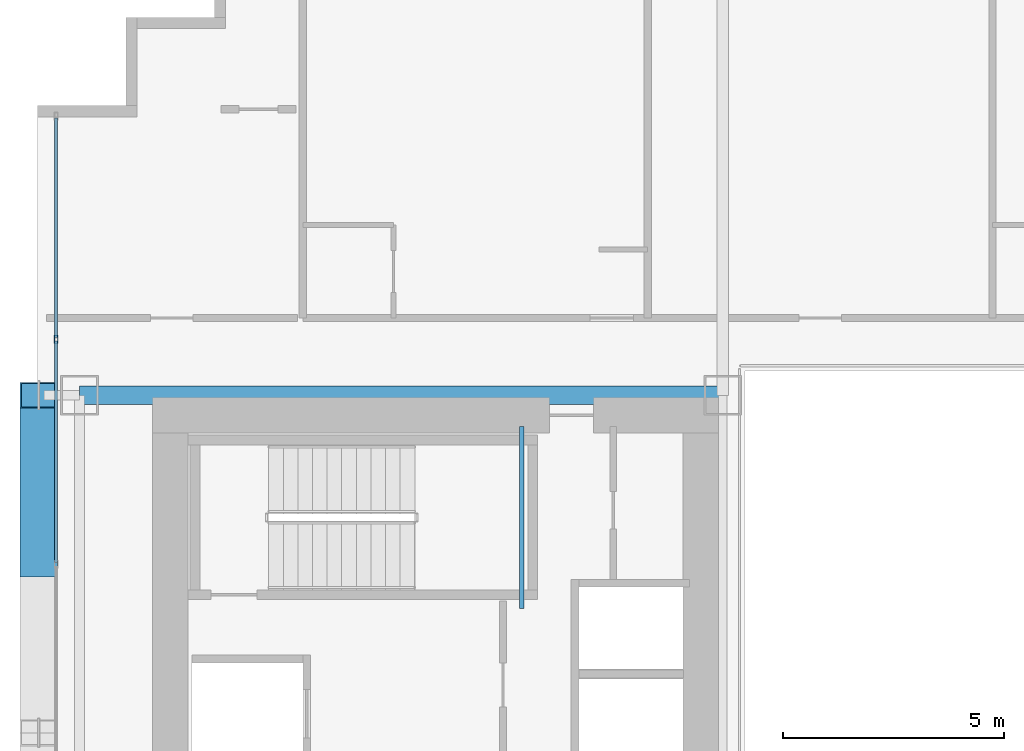
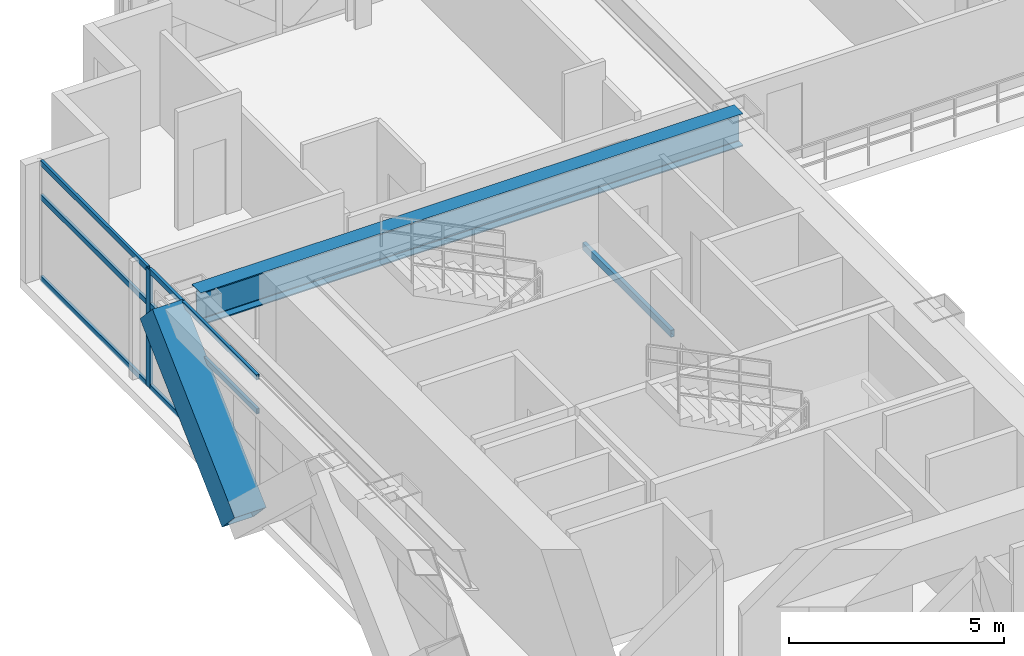
# One storey, part 16 of 38: 8 members, 2 beams, 1 element without a shape of its own.
"""IFC4 building model written with IfcOpenShell, lengths in metres."""

from ifc_helpers import new_model, si_unit, direction, frame, origin, origin_2d, place, context, subcontext, project, spatial, hollow_rectangle, i_section, extrude, source, transform, mapped, material, layer, layer_set, material_profile, profile_set, type_object, element, aggregate, save


model = new_model("IFC4")

# Units and contexts
model_context = context("Model", 3, precision=1e-05, world=origin(), true_north=direction((0.0, 1.0)))
body_context = subcontext(model_context, "Body", "Model", "MODEL_VIEW")
ifc_project = project(units=[si_unit("LENGTHUNIT", "METRE"), si_unit("AREAUNIT", "SQUARE_METRE"), si_unit("VOLUMEUNIT", "CUBIC_METRE"), si_unit("PLANEANGLEUNIT", "RADIAN"), si_unit("MASSUNIT", "GRAM", prefix="KILO")], contexts=[model_context])

# Site, building, storey
site_placement = place(None, origin())
site = spatial("IfcSite", under=ifc_project, at=site_placement, CompositionType="ELEMENT")
building_placement = place(site_placement, origin())
building = spatial("IfcBuilding", under=site, at=building_placement, Name="Ocotamira Hotel", CompositionType="ELEMENT")
storey_placement = place(building_placement, frame((0.0, 0.0, 60.0)))
storey = spatial("IfcBuildingStorey", under=building, at=storey_placement, Name="L14", CompositionType="ELEMENT", Elevation=60.0)

# Beams
ifc_material_1 = material(Name="Steel ASTM A500 Grade C", Category="steel")
ifc_material_profile_1 = material_profile(ifc_material_1, hollow_rectangle(XDim=0.10009765625, YDim=0.199951171875, WallThickness=0.008056640625, at=origin_2d()), Name="HSS200X100X8")
ifc_profile_set_1 = profile_set([ifc_material_profile_1], Name="Steel ASTM A500 Grade C")
beam_type_1 = type_object("IfcBeamType", Name="BM-STLDG-HSS200", PredefinedType="BEAM", material=ifc_profile_set_1)
shared_shape_1 = source(origin(), body_context, "Body", "SweptSolid", [
    extrude(hollow_rectangle(XDim=0.10009765625, YDim=0.199951171875, WallThickness=0.008056640625, at=origin_2d()), origin(), (0.0, 0.0, 1.0), 4.1201171875),
])
beam_1_placement = place(storey_placement, frame((18.949951171875, 32.6298828125, 1.5), z_axis=(0.0, 1.0, 0.0), x_axis=(-1.0, 0.0, 0.0)))
element("IfcBeam", 1, at=beam_1_placement, inside=storey, type_object=beam_type_1, Name="L14 Stair ST-2 Landing Bearer 1", PredefinedType="BEAM", context=body_context, shape_type="MappedRepresentation", body=[
    mapped(shared_shape_1, transform((0.0, 0.0, 0.0), scale=1.0)),
])
ifc_material_2 = material(Name="Steel ASTM A992 Grade 50", Category="steel")
ifc_material_profile_2 = material_profile(ifc_material_2, i_section(OverallWidth=0.41796875, OverallDepth=0.927001953125, WebThickness=0.019287109375, FlangeThickness=0.031982421875, FilletRadius=0.02392578125, at=origin_2d()), Name="W36X231")
ifc_profile_set_2 = profile_set([ifc_material_profile_2], Name="Steel ASTM A992 Grade 50")
beam_type_2 = type_object("IfcBeamType", Name="BM-GIRD-W36X231", PredefinedType="BEAM", material=ifc_profile_set_2)
shared_shape_2 = source(origin(), body_context, "Body", "SweptSolid", [
    extrude(i_section(OverallWidth=0.41796875, OverallDepth=0.927001953125, WebThickness=0.019287109375, FlangeThickness=0.031982421875, FilletRadius=0.02392578125, at=origin_2d()), origin(), (0.0, 0.0, 1.0), 14.550048828125),
])
beam_2_placement = place(storey_placement, frame((8.949951171875, 37.449951171875, 2.886474609375), z_axis=(1.0, 0.0, 0.0), x_axis=(0.0, 1.0, 0.0)))
element("IfcBeam", 2, at=beam_2_placement, inside=storey, type_object=beam_type_2, Name="L14 Girder Y37.45 X8.95-23.5", PredefinedType="BEAM", context=body_context, shape_type="MappedRepresentation", body=[
    mapped(shared_shape_2, transform((0.0, 0.0, 0.0), scale=1.0)),
])

# Member
ifc_material_3 = material(Name="Pale-metal coated steel ASTM A913 Grade 65", Category="steel")
ifc_material_profile_3 = material_profile(ifc_material_3, hollow_rectangle(XDim=0.85009765625, YDim=0.85009765625, WallThickness=0.035888671875, at=origin_2d()), Name="BOX850X850X36")
ifc_profile_set_3 = profile_set([ifc_material_profile_3], Name="Pale-metal coated steel ASTM A913 Grade 65")
member_type_1 = type_object("IfcMemberType", Name="MEM-EXO-BOX850", PredefinedType="BRACE", material=ifc_profile_set_3)
shared_shape_3 = source(origin(), body_context, "Body", "SweptSolid", [
    extrude(hollow_rectangle(XDim=0.85009765625, YDim=0.85009765625, WallThickness=0.035888671875, at=origin_2d()), origin(), (0.0, 0.0, 1.0), 5.24658203125),
])
member_1_placement = place(storey_placement, frame((8.030029296875, 33.63330078125, -0.5), z_axis=(0.0, 0.727442733726, 0.686168397078), x_axis=(-1.0, 0.0, 0.0)))
element("IfcMember", 3, at=member_1_placement, inside=storey, type_object=member_type_1, Name="L14 Exoskeleton Diagrid W2.2", PredefinedType="BRACE", context=body_context, shape_type="MappedRepresentation", body=[
    mapped(shared_shape_3, transform((0.0, 0.0, 0.0), scale=1.0)),
])

# Curtain wall, members
ifc_material_4 = material(Name="Anodised pale-metal aluminium and solar glass", Category="aluminium")
ifc_layer = layer(ifc_material_4, 0.179931640625)
ifc_layer_set = layer_set([ifc_layer], Name="Anodised pale-metal aluminium and solar glass")
curtain_wall_type = type_object("IfcCurtainWallType", Name="CW-SYS2-Z1", PredefinedType="NOTDEFINED", material=ifc_layer_set)
curtain_wall_placement = place(storey_placement, origin())
curtain_wall = element("IfcCurtainWall", 4, at=curtain_wall_placement, inside=storey, type_object=curtain_wall_type, Name="L14 Curtain Wall CW-2 CW-L14-W", PredefinedType="NOTDEFINED")
ifc_material_5 = material(Name="Anodised pale-metal aluminium 6063-T6", Category="aluminium")
ifc_material_profile_4 = material_profile(ifc_material_5, hollow_rectangle(XDim=0.074951171875, YDim=0.14990234375, WallThickness=0.006103515625, at=origin_2d()), Name="HSS150X75X6")
ifc_profile_set_4 = profile_set([ifc_material_profile_4], Name="Anodised pale-metal aluminium 6063-T6")
member_type_2 = type_object("IfcMemberType", Name="CWT-150X75", PredefinedType="USERDEFINED", material=ifc_profile_set_4)
shared_shape_4 = source(origin(), body_context, "Body", "SweptSolid", [
    extrude(hollow_rectangle(XDim=0.074951171875, YDim=0.14990234375, WallThickness=0.006103515625, at=origin_2d()), origin(), (0.0, 0.0, 1.0), 4.965576171875),
])
member_2_placement = place(storey_placement, frame((8.419921875, 38.75439453125, 0.03759765625), z_axis=(0.0, 1.0, 0.0), x_axis=(-1.0, 0.0, 0.0)))
member_2 = element("IfcMember", 5, at=member_2_placement, type_object=member_type_2, Name="CW-2 transom 7.1", ObjectType="TRANSOM", PredefinedType="USERDEFINED", context=body_context, shape_type="MappedRepresentation", body=[
    mapped(shared_shape_4, transform((0.0, 0.0, 0.0), scale=1.0)),
])
member_3_placement = place(storey_placement, frame((8.419921875, 38.75439453125, 2.35009765625), z_axis=(0.0, 1.0, 0.0), x_axis=(-1.0, 0.0, 0.0)))
member_3 = element("IfcMember", 6, at=member_3_placement, type_object=member_type_2, Name="CW-2 transom 7.2", ObjectType="TRANSOM", PredefinedType="USERDEFINED", context=body_context, shape_type="MappedRepresentation", body=[
    mapped(shared_shape_4, transform((0.0, 0.0, 0.0), scale=1.0)),
])
member_4_placement = place(storey_placement, frame((8.419921875, 38.75439453125, 3.3125), z_axis=(0.0, 1.0, 0.0), x_axis=(-1.0, 0.0, 0.0)))
member_4 = element("IfcMember", 7, at=member_4_placement, type_object=member_type_2, Name="CW-2 transom 7.3", ObjectType="TRANSOM", PredefinedType="USERDEFINED", context=body_context, shape_type="MappedRepresentation", body=[
    mapped(shared_shape_4, transform((0.0, 0.0, 0.0), scale=1.0)),
])
shared_shape_5 = source(origin(), body_context, "Body", "SweptSolid", [
    extrude(hollow_rectangle(XDim=0.074951171875, YDim=0.14990234375, WallThickness=0.006103515625, at=origin_2d()), origin(), (0.0, 0.0, 1.0), 5.005859375),
])
member_5_placement = place(storey_placement, frame((8.419921875, 33.66845703125, 0.03759765625), z_axis=(0.0, 1.0, 0.0), x_axis=(-1.0, 0.0, 0.0)))
member_5 = element("IfcMember", 8, at=member_5_placement, type_object=member_type_2, Name="CW-2 transom 6.1", ObjectType="TRANSOM", PredefinedType="USERDEFINED", context=body_context, shape_type="MappedRepresentation", body=[
    mapped(shared_shape_5, transform((0.0, 0.0, 0.0), scale=1.0)),
])
member_6_placement = place(storey_placement, frame((8.419921875, 33.66845703125, 2.35009765625), z_axis=(0.0, 1.0, 0.0), x_axis=(-1.0, 0.0, 0.0)))
member_6 = element("IfcMember", 9, at=member_6_placement, type_object=member_type_2, Name="CW-2 transom 6.2", ObjectType="TRANSOM", PredefinedType="USERDEFINED", context=body_context, shape_type="MappedRepresentation", body=[
    mapped(shared_shape_5, transform((0.0, 0.0, 0.0), scale=1.0)),
])
member_7_placement = place(storey_placement, frame((8.419921875, 33.66845703125, 3.3125), z_axis=(0.0, 1.0, 0.0), x_axis=(-1.0, 0.0, 0.0)))
member_7 = element("IfcMember", 10, at=member_7_placement, type_object=member_type_2, Name="CW-2 transom 6.3", ObjectType="TRANSOM", PredefinedType="USERDEFINED", context=body_context, shape_type="MappedRepresentation", body=[
    mapped(shared_shape_5, transform((0.0, 0.0, 0.0), scale=1.0)),
])
ifc_material_profile_5 = material_profile(ifc_material_5, hollow_rectangle(XDim=0.080078125, YDim=0.179931640625, WallThickness=0.006103515625, at=origin_2d()), Name="HSS180X80X6")
ifc_profile_set_5 = profile_set([ifc_material_profile_5], Name="Anodised pale-metal aluminium 6063-T6")
member_type_3 = type_object("IfcMemberType", Name="CWM-180X75", PredefinedType="MULLION", material=ifc_profile_set_5)
shared_shape_6 = source(origin(), body_context, "Body", "SweptSolid", [
    extrude(hollow_rectangle(XDim=0.080078125, YDim=0.179931640625, WallThickness=0.006103515625, at=origin_2d()), origin(), (0.0, 0.0, 1.0), 3.35009765625),
])
member_8_placement = place(storey_placement, frame((8.419921875, 38.71435546875, 0.0), z_axis=(0.0, 0.0, 1.0), x_axis=(-1.0, 0.0, 0.0)))
member_8 = element("IfcMember", 11, at=member_8_placement, type_object=member_type_3, Name="CW-2 mullion 7", PredefinedType="MULLION", context=body_context, shape_type="MappedRepresentation", body=[
    mapped(shared_shape_6, transform((0.0, 0.0, 0.0), scale=1.0)),
])
aggregate(curtain_wall, [member_8, member_5, member_6, member_7, member_2, member_3, member_4])

save(model, "model.ifc")
